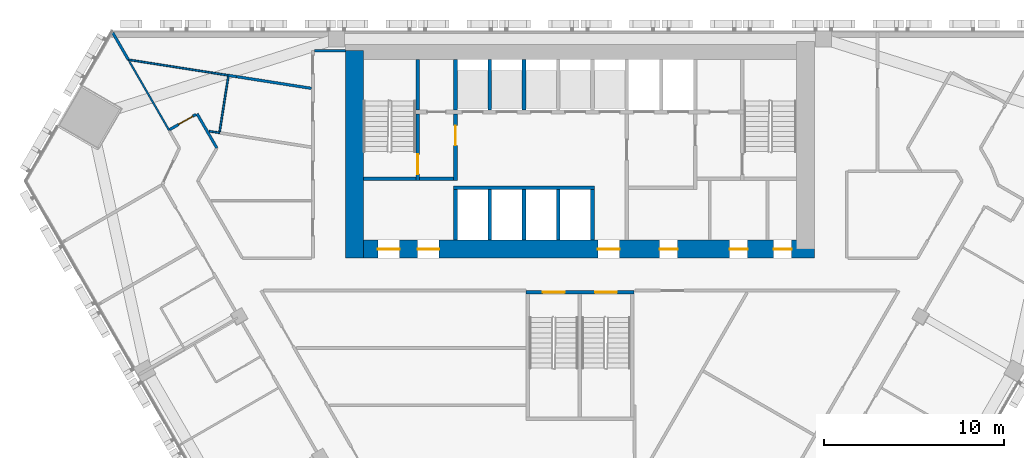
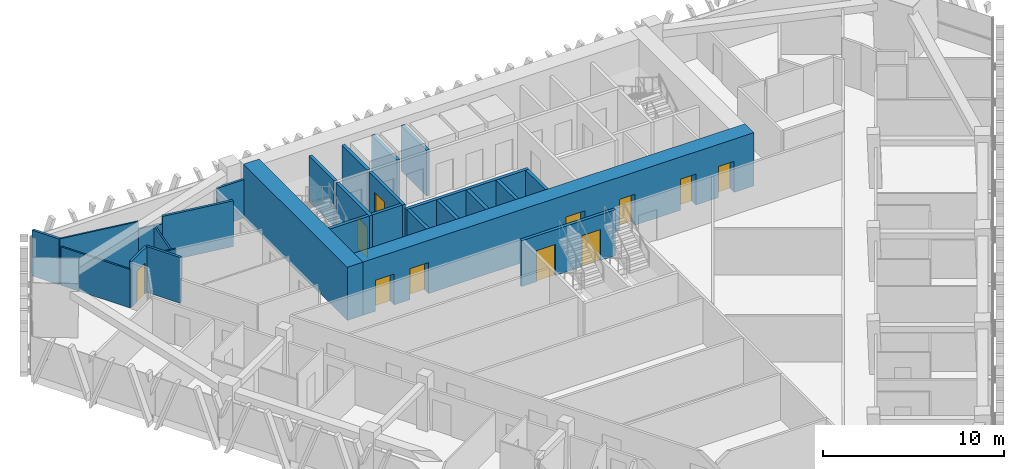
# One storey, part 13 of 18: 28 walls, 11 doors, 11 openings.
"""IFC4 building model written with IfcOpenShell, lengths in metres."""

from ifc_helpers import new_model, si_unit, direction, frame, frame_2d, origin, place, context, subcontext, project, spatial, rectangle, extrude, material, layer, layer_set, type_object, element, fill, save


model = new_model("IFC4")

# Units and contexts
model_context = context("Model", 3, precision=1e-05, world=origin(), true_north=direction((0.0, 1.0)))
body_context = subcontext(model_context, "Body", "Model", "MODEL_VIEW")
ifc_project = project(units=[si_unit("LENGTHUNIT", "METRE"), si_unit("AREAUNIT", "SQUARE_METRE"), si_unit("VOLUMEUNIT", "CUBIC_METRE"), si_unit("PLANEANGLEUNIT", "RADIAN"), si_unit("MASSUNIT", "GRAM", prefix="KILO")], contexts=[model_context])

# Site, building, storey
site_placement = place(None, origin())
site = spatial("IfcSite", under=ifc_project, at=site_placement, CompositionType="ELEMENT")
building_placement = place(site_placement, origin())
building = spatial("IfcBuilding", under=site, at=building_placement, Name="Altiplano Prism Tower", CompositionType="ELEMENT")
storey_placement = place(building_placement, frame((0.0, 0.0, 45.0)))
storey = spatial("IfcBuildingStorey", under=building, at=storey_placement, Name="L10", CompositionType="ELEMENT", Elevation=45.0)

# Wall, openings, doors
ifc_material_1 = material(Name="Concrete C70/85", Category="concrete")
ifc_layer_1 = layer(ifc_material_1, 1.0)
ifc_layer_set_1 = layer_set([ifc_layer_1], Name="Concrete C70/85")
wall_type_1 = type_object("IfcWallType", Name="Core wall 1000", PredefinedType="SHEAR", material=ifc_layer_set_1)
wall_1_placement = place(storey_placement, frame((72.5, 92.89990234375, 0.0), z_axis=(0.0, 0.0, 1.0), x_axis=(1.0, 0.0, 0.0)))
wall_1 = element("IfcWall", 1, at=wall_1_placement, inside=storey, type_object=wall_type_1, Name="Core wall S L10", PredefinedType="SHEAR", context=body_context, shape_type="SweptSolid", body=[
    extrude(rectangle(XDim=25.5, YDim=1.0, at=frame_2d((12.75, 0.0))), origin(), (0.0, 0.0, 1.0), 3.60009765625),
])
opening_1_placement = place(wall_1_placement, frame((1.300048828125, 0.0, 0.0)))
opening_1 = element("IfcOpeningElement", 2, at=opening_1_placement, cuts=wall_1, Name="Opening D2725", PredefinedType="OPENING", context=body_context, shape_type="SweptSolid", body=[
    extrude(rectangle(XDim=1.199951171875, YDim=2.10009765625, at=frame_2d((0.60009765625, 1.050048828125))), frame((0.0, 0.510498046875, 0.0), z_axis=(0.0, -1.0, 0.0), x_axis=(1.0, 0.0, 0.0)), (0.0, 0.0, 1.0), 1.02099609375),
])
opening_2_placement = place(wall_1_placement, frame((3.5, 0.0, 0.0)))
opening_2 = element("IfcOpeningElement", 3, at=opening_2_placement, cuts=wall_1, Name="Opening D2726", PredefinedType="OPENING", context=body_context, shape_type="SweptSolid", body=[
    extrude(rectangle(XDim=1.199951171875, YDim=2.10009765625, at=frame_2d((0.60009765625, 1.050048828125))), frame((0.0, 0.510498046875, 0.0), z_axis=(0.0, -1.0, 0.0), x_axis=(1.0, 0.0, 0.0)), (0.0, 0.0, 1.0), 1.02099609375),
])
opening_3_placement = place(wall_1_placement, frame((13.5, 0.0, 0.0)))
opening_3 = element("IfcOpeningElement", 4, at=opening_3_placement, cuts=wall_1, Name="Opening D2727", PredefinedType="OPENING", context=body_context, shape_type="SweptSolid", body=[
    extrude(rectangle(XDim=1.199951171875, YDim=2.10009765625, at=frame_2d((0.60009765625, 1.050048828125))), frame((0.0, 0.510498046875, 0.0), z_axis=(0.0, -1.0, 0.0), x_axis=(1.0, 0.0, 0.0)), (0.0, 0.0, 1.0), 1.02099609375),
])
opening_4_placement = place(wall_1_placement, frame((16.91259765625, 0.0, 0.0)))
opening_4 = element("IfcOpeningElement", 5, at=opening_4_placement, cuts=wall_1, Name="Opening D2730", PredefinedType="OPENING", context=body_context, shape_type="SweptSolid", body=[
    extrude(rectangle(XDim=1.0, YDim=2.10009765625, at=frame_2d((0.5, 1.050048828125))), frame((0.0, 0.510498046875, 0.0), z_axis=(0.0, -1.0, 0.0), x_axis=(1.0, 0.0, 0.0)), (0.0, 0.0, 1.0), 1.02099609375),
])
opening_5_placement = place(wall_1_placement, frame((20.800048828125, 0.0, 0.0)))
opening_5 = element("IfcOpeningElement", 6, at=opening_5_placement, cuts=wall_1, Name="Opening D2731", PredefinedType="OPENING", context=body_context, shape_type="SweptSolid", body=[
    extrude(rectangle(XDim=1.0, YDim=2.10009765625, at=frame_2d((0.5, 1.050048828125))), frame((0.0, 0.510498046875, 0.0), z_axis=(0.0, -1.0, 0.0), x_axis=(1.0, 0.0, 0.0)), (0.0, 0.0, 1.0), 1.02099609375),
])
opening_6_placement = place(wall_1_placement, frame((23.237548828125, 0.0, 0.0)))
opening_6 = element("IfcOpeningElement", 7, at=opening_6_placement, cuts=wall_1, Name="Opening D2732", PredefinedType="OPENING", context=body_context, shape_type="SweptSolid", body=[
    extrude(rectangle(XDim=1.0, YDim=2.10009765625, at=frame_2d((0.5, 1.050048828125))), frame((0.0, 0.510498046875, 0.0), z_axis=(0.0, -1.0, 0.0), x_axis=(1.0, 0.0, 0.0)), (0.0, 0.0, 1.0), 1.02099609375),
])
ifc_material_2 = material(Name="Fire-rated steel door", Category="steel")
door_type_1 = type_object("IfcDoorType", Name="Core room door 1000 x 2100", OperationType="NOTDEFINED", PredefinedType="NOTDEFINED", material=ifc_material_2)
door_1_placement = place(opening_4_placement, origin())
door_1 = element("IfcDoor", 8, at=door_1_placement, inside=storey, type_object=door_type_1, Name="Core room door D2730", OperationType="SINGLE_SWING_RIGHT", OverallHeight=2.10009765625, OverallWidth=1.0, PredefinedType="NOTDEFINED", context=body_context, shape_type="SweptSolid", body=[
    extrude(rectangle(XDim=1.0, YDim=2.10009765625, at=frame_2d((0.5, 1.050048828125))), frame((0.0, 0.02490234375, 0.0), z_axis=(0.0, -1.0, 0.0), x_axis=(1.0, 0.0, 0.0)), (0.0, 0.0, 1.0), 0.050048828125),
])
fill(opening_4, door_1)
door_2_placement = place(opening_5_placement, origin())
door_2 = element("IfcDoor", 9, at=door_2_placement, inside=storey, type_object=door_type_1, Name="Core room door D2731", OperationType="SINGLE_SWING_LEFT", OverallHeight=2.10009765625, OverallWidth=1.0, PredefinedType="NOTDEFINED", context=body_context, shape_type="SweptSolid", body=[
    extrude(rectangle(XDim=1.0, YDim=2.10009765625, at=frame_2d((0.5, 1.050048828125))), frame((0.0, 0.02490234375, 0.0), z_axis=(0.0, -1.0, 0.0), x_axis=(1.0, 0.0, 0.0)), (0.0, 0.0, 1.0), 0.050048828125),
])
fill(opening_5, door_2)
door_3_placement = place(opening_6_placement, origin())
door_3 = element("IfcDoor", 10, at=door_3_placement, inside=storey, type_object=door_type_1, Name="Core room door D2732", OperationType="SINGLE_SWING_RIGHT", OverallHeight=2.10009765625, OverallWidth=1.0, PredefinedType="NOTDEFINED", context=body_context, shape_type="SweptSolid", body=[
    extrude(rectangle(XDim=1.0, YDim=2.10009765625, at=frame_2d((0.5, 1.050048828125))), frame((0.0, 0.02490234375, 0.0), z_axis=(0.0, -1.0, 0.0), x_axis=(1.0, 0.0, 0.0)), (0.0, 0.0, 1.0), 0.050048828125),
])
fill(opening_6, door_3)
door_type_2 = type_object("IfcDoorType", Name="Lobby fire door 1200 x 2100", OperationType="NOTDEFINED", PredefinedType="NOTDEFINED", material=ifc_material_2)
door_4_placement = place(opening_1_placement, origin())
door_4 = element("IfcDoor", 11, at=door_4_placement, inside=storey, type_object=door_type_2, Name="Lobby fire door D2725", OperationType="SINGLE_SWING_RIGHT", OverallHeight=2.10009765625, OverallWidth=1.199951171875, PredefinedType="NOTDEFINED", context=body_context, shape_type="SweptSolid", body=[
    extrude(rectangle(XDim=1.199951171875, YDim=2.10009765625, at=frame_2d((0.60009765625, 1.050048828125))), frame((0.0, 0.02490234375, 0.0), z_axis=(0.0, -1.0, 0.0), x_axis=(1.0, 0.0, 0.0)), (0.0, 0.0, 1.0), 0.050048828125),
])
fill(opening_1, door_4)
door_5_placement = place(opening_2_placement, origin())
door_5 = element("IfcDoor", 12, at=door_5_placement, inside=storey, type_object=door_type_2, Name="Lobby fire door D2726", OperationType="SINGLE_SWING_LEFT", OverallHeight=2.10009765625, OverallWidth=1.199951171875, PredefinedType="NOTDEFINED", context=body_context, shape_type="SweptSolid", body=[
    extrude(rectangle(XDim=1.199951171875, YDim=2.10009765625, at=frame_2d((0.60009765625, 1.050048828125))), frame((0.0, 0.02490234375, 0.0), z_axis=(0.0, -1.0, 0.0), x_axis=(1.0, 0.0, 0.0)), (0.0, 0.0, 1.0), 0.050048828125),
])
fill(opening_2, door_5)
door_6_placement = place(opening_3_placement, origin())
door_6 = element("IfcDoor", 13, at=door_6_placement, inside=storey, type_object=door_type_2, Name="Lobby fire door D2727", OperationType="SINGLE_SWING_RIGHT", OverallHeight=2.10009765625, OverallWidth=1.199951171875, PredefinedType="NOTDEFINED", context=body_context, shape_type="SweptSolid", body=[
    extrude(rectangle(XDim=1.199951171875, YDim=2.10009765625, at=frame_2d((0.60009765625, 1.050048828125))), frame((0.0, 0.02490234375, 0.0), z_axis=(0.0, -1.0, 0.0), x_axis=(1.0, 0.0, 0.0)), (0.0, 0.0, 1.0), 0.050048828125),
])
fill(opening_3, door_6)

# Walls
wall_2_placement = place(storey_placement, frame((72.5, 103.89990234375, 0.0), z_axis=(0.0, 0.0, 1.0), x_axis=(0.0, -1.0, 0.0)))
element("IfcWall", 14, at=wall_2_placement, inside=storey, type_object=wall_type_1, Name="Core wall W L10", PredefinedType="SHEAR", context=body_context, shape_type="SweptSolid", body=[
    extrude(rectangle(XDim=11.5, YDim=1.0, at=frame_2d((5.75, 0.0))), origin(), (0.0, 0.0, 1.0), 3.60009765625),
])
ifc_material_3 = material(Name="Plasterboard on steel stud", Category="steel")
ifc_layer_2 = layer(ifc_material_3, 0.10009765625)
ifc_layer_set_2 = layer_set([ifc_layer_2], Name="Plasterboard on steel stud")
wall_type_2 = type_object("IfcWallType", Name="Partition 100 wet", PredefinedType="PARTITIONING", material=ifc_layer_set_2)
wall_3_placement = place(storey_placement, frame((65.029541015625, 99.420654296875, 0.0), z_axis=(0.0, 0.0, 1.0), x_axis=(0.154701666179, 0.987961231264, 0.0)))
element("IfcWall", 15, at=wall_3_placement, inside=storey, type_object=wall_type_2, Name="Partition P03 L10 044", PredefinedType="PARTITIONING", context=body_context, shape_type="SweptSolid", body=[
    extrude(rectangle(XDim=3.07275390625, YDim=0.10009765625, at=frame_2d((1.536376953125, 0.0))), origin(), (0.0, 0.0, 1.0), 2.60009765625),
])
wall_4_placement = place(storey_placement, frame((64.45654296875, 99.434326171875, 0.0), z_axis=(0.0, 0.0, 1.0), x_axis=(0.988004117719, -0.154427534366, 0.0)))
element("IfcWall", 16, at=wall_4_placement, inside=storey, type_object=wall_type_2, Name="Partition P03 L10 045", PredefinedType="PARTITIONING", context=body_context, shape_type="SweptSolid", body=[
    extrude(rectangle(XDim=0.588134765625, YDim=0.10009765625, at=frame_2d((0.2939453125, 0.0))), origin(), (0.0, 0.0, 1.0), 3.10009765625),
])
wall_5_placement = place(storey_placement, frame((60.018310546875, 103.30908203125, 0.0), z_axis=(0.0, 0.0, 1.0), x_axis=(0.499966399055, -0.86604480243, 0.0)))
element("IfcWall", 17, at=wall_5_placement, inside=storey, type_object=wall_type_2, Name="Partition P03 L10 046", PredefinedType="PARTITIONING", context=body_context, shape_type="SweptSolid", body=[
    extrude(rectangle(XDim=4.418212890625, YDim=0.10009765625, at=frame_2d((2.208984375, 0.0))), origin(), (0.0, 0.0, 1.0), 2.60009765625),
])
wall_6_placement = place(storey_placement, frame((65.536376953125, 102.52734375, 0.0), z_axis=(0.0, 0.0, 1.0), x_axis=(-0.987969741582, 0.154647307506, 0.0)))
element("IfcWall", 18, at=wall_6_placement, inside=storey, type_object=wall_type_2, Name="Partition P03 L10 047", PredefinedType="PARTITIONING", context=body_context, shape_type="SweptSolid", body=[
    extrude(rectangle(XDim=0.991455078125, YDim=0.10009765625, at=frame_2d((0.49560546875, 0.0))), origin(), (0.0, 0.0, 1.0), 2.60009765625),
])
wall_7_placement = place(storey_placement, frame((64.556884765625, 102.6806640625, 0.0), z_axis=(0.0, 0.0, 1.0), x_axis=(-0.987956876752, 0.154729472561, 0.0)))
element("IfcWall", 19, at=wall_7_placement, inside=storey, type_object=wall_type_2, Name="Partition P03 L10 048", PredefinedType="PARTITIONING", context=body_context, shape_type="SweptSolid", body=[
    extrude(rectangle(XDim=4.646728515625, YDim=0.10009765625, at=frame_2d((2.3232421875, 0.0))), origin(), (0.0, 0.0, 1.0), 3.10009765625),
])

# Wall, opening, door
ifc_layer_3 = layer(ifc_material_3, 0.14990234375)
ifc_layer_set_3 = layer_set([ifc_layer_3], Name="Plasterboard on steel stud")
wall_type_3 = type_object("IfcWallType", Name="Partition 150 corridor", PredefinedType="PARTITIONING", material=ifc_layer_set_3)
wall_8_placement = place(storey_placement, frame((63.711181640625, 100.362548828125, 0.0), z_axis=(0.0, 0.0, 1.0), x_axis=(-0.865964676353, -0.500105168249, 0.0)))
wall_8 = element("IfcWall", 20, at=wall_8_placement, inside=storey, type_object=wall_type_3, Name="Partition P06 L10 001", PredefinedType="PARTITIONING", context=body_context, shape_type="SweptSolid", body=[
    extrude(rectangle(XDim=1.675048828125, YDim=0.14990234375, at=frame_2d((0.83740234375, 0.0))), origin(), (0.0, 0.0, 1.0), 3.10009765625),
])
opening_7_placement = place(wall_8_placement, frame((0.199951171875, 0.0, 0.0)))
opening_7 = element("IfcOpeningElement", 21, at=opening_7_placement, cuts=wall_8, Name="Opening D0372", PredefinedType="OPENING", context=body_context, shape_type="SweptSolid", body=[
    extrude(rectangle(XDim=0.89990234375, YDim=2.10009765625, at=frame_2d((0.449951171875, 1.050048828125))), frame((0.0, 0.08544921875, 0.0), z_axis=(0.0, -1.0, 0.0), x_axis=(1.0, 0.0, 0.0)), (0.0, 0.0, 1.0), 0.1708984375),
])
ifc_material_4 = material(Name="Timber", Category="wood")
door_type_3 = type_object("IfcDoorType", Name="Toilet door 900 x 2100", OperationType="NOTDEFINED", PredefinedType="NOTDEFINED", material=ifc_material_4)
door_7_placement = place(opening_7_placement, origin())
door_7 = element("IfcDoor", 22, at=door_7_placement, inside=storey, type_object=door_type_3, Name="Door D0372", OperationType="SINGLE_SWING_RIGHT", OverallHeight=2.10009765625, OverallWidth=0.89990234375, PredefinedType="NOTDEFINED", context=body_context, shape_type="SweptSolid", body=[
    extrude(rectangle(XDim=0.89990234375, YDim=2.10009765625, at=frame_2d((0.449951171875, 1.050048828125))), frame((0.0, 0.02490234375, 0.0), z_axis=(0.0, -1.0, 0.0), x_axis=(1.0, 0.0, 0.0)), (0.0, 0.0, 1.0), 0.050048828125),
])
fill(opening_7, door_7)

# Walls
wall_9_placement = place(storey_placement, frame((64.873291015625, 98.5, 0.0), z_axis=(0.0, 0.0, 1.0), x_axis=(-0.500005024956, 0.866022502605, 0.0)))
element("IfcWall", 23, at=wall_9_placement, inside=storey, type_object=wall_type_3, Name="Partition P06 L10 006", PredefinedType="PARTITIONING", context=body_context, shape_type="SweptSolid", body=[
    extrude(rectangle(XDim=2.19384765625, YDim=0.14990234375, at=frame_2d((1.096923828125, 0.0))), origin(), (0.0, 0.0, 1.0), 3.10009765625),
])
wall_10_placement = place(storey_placement, frame((72.0, 103.89990234375, 0.0), z_axis=(0.0, 0.0, 1.0), x_axis=(-1.0, 0.0, 0.0)))
element("IfcWall", 24, at=wall_10_placement, inside=storey, type_object=wall_type_3, Name="Partition P06 L10 037", PredefinedType="PARTITIONING", context=body_context, shape_type="SweptSolid", body=[
    extrude(rectangle(XDim=1.72509765625, YDim=0.14990234375, at=frame_2d((0.862548828125, 0.0))), origin(), (0.0, 0.0, 1.0), 2.60009765625),
])
ifc_layer_4 = layer(ifc_material_3, 0.14990234375)
ifc_layer_set_4 = layer_set([ifc_layer_4], Name="Plasterboard on steel stud")
wall_type_4 = type_object("IfcWallType", Name="Partition 150 party", PredefinedType="PARTITIONING", material=ifc_layer_set_4)
wall_11_placement = place(storey_placement, frame((70.11328125, 101.810302734375, 0.0), z_axis=(0.0, 0.0, 1.0), x_axis=(-0.987957270298, 0.154726959721, 0.0)))
element("IfcWall", 25, at=wall_11_placement, inside=storey, type_object=wall_type_4, Name="Partition P01 L10 051", PredefinedType="PARTITIONING", context=body_context, shape_type="SweptSolid", body=[
    extrude(rectangle(XDim=4.19091796875, YDim=0.14990234375, at=frame_2d((2.095458984375, 0.0))), origin(), (0.0, 0.0, 1.0), 3.10009765625),
])
wall_12_placement = place(storey_placement, frame((65.972900390625, 102.458740234375, 0.0), z_axis=(0.0, 0.0, 1.0), x_axis=(-0.9879103998, 0.155025939661, 0.0)))
element("IfcWall", 26, at=wall_12_placement, inside=storey, type_object=wall_type_4, Name="Partition P01 L10 052", PredefinedType="PARTITIONING", context=body_context, shape_type="SweptSolid", body=[
    extrude(rectangle(XDim=0.48193359375, YDim=0.14990234375, at=frame_2d((0.240966796875, 0.0))), origin(), (0.0, 0.0, 1.0), 2.60009765625),
])
wall_13_placement = place(storey_placement, frame((59.966064453125, 103.399658203125, 0.0), z_axis=(0.0, 0.0, 1.0), x_axis=(-0.500124983322, 0.865953232604, 0.0)))
element("IfcWall", 27, at=wall_13_placement, inside=storey, type_object=wall_type_4, Name="Partition P01 L10 054", PredefinedType="PARTITIONING", context=body_context, shape_type="SweptSolid", body=[
    extrude(rectangle(XDim=1.732421875, YDim=0.14990234375, at=frame_2d((0.8662109375, 0.0))), origin(), (0.0, 0.0, 1.0), 3.10009765625),
])
ifc_material_5 = material(Name="Concrete C60/75", Category="concrete")
ifc_layer_5 = layer(ifc_material_5, 0.199951171875)
ifc_layer_set_5 = layer_set([ifc_layer_5], Name="Concrete C60/75")
wall_type_5 = type_object("IfcWallType", Name="Shaft wall 200", PredefinedType="SOLIDWALL", material=ifc_layer_set_5)
for number, where, z_axis, x_axis, name in (
    (28, (78.10009765625, 93.39990234375, 0.0), (0.0, 0.0, 1.0), (0.0, 1.0, 0.0), "Shaft wall L10"),
    (29, (80.0, 93.39990234375, 0.0), (0.0, 0.0, 1.0), (0.0, 1.0, 0.0), "Shaft wall L10"),
    (30, (81.89990234375, 93.39990234375, 0.0), (0.0, 0.0, 1.0), (0.0, 1.0, 0.0), "Shaft wall L10"),
    (31, (83.800048828125, 93.39990234375, 0.0), (0.0, 0.0, 1.0), (0.0, 1.0, 0.0), "Shaft wall L10"),
    (32, (85.699951171875, 93.39990234375, 0.0), (0.0, 0.0, 1.0), (0.0, 1.0, 0.0), "Shaft wall L10"),
):
    element("IfcWall", number, at=place(storey_placement, frame(where, z_axis=z_axis, x_axis=x_axis)), inside=storey, type_object=wall_type_5, Name=name, PredefinedType="SOLIDWALL", context=body_context, shape_type="SweptSolid", body=[
        extrude(rectangle(XDim=2.800048828125, YDim=0.199951171875, at=frame_2d((1.39990234375, 0.0))), origin(), (0.0, 0.0, 1.0), 3.10009765625),
    ])
wall_14_placement = place(storey_placement, frame((78.0, 96.300048828125, 0.0), z_axis=(0.0, 0.0, 1.0), x_axis=(1.0, 0.0, 0.0)))
element("IfcWall", 33, at=wall_14_placement, inside=storey, type_object=wall_type_5, Name="Shaft wall L10", PredefinedType="SOLIDWALL", context=body_context, shape_type="SweptSolid", body=[
    extrude(rectangle(XDim=7.800048828125, YDim=0.199951171875, at=frame_2d((3.89990234375, 0.0))), origin(), (0.0, 0.0, 1.0), 3.10009765625),
])
for number, where, z_axis, x_axis, name in (
    (34, (78.10009765625, 100.60009765625, 0.0), (0.0, 0.0, 1.0), (0.0, 1.0, 0.0), "Shaft wall L10"),
    (35, (80.0, 100.60009765625, 0.0), (0.0, 0.0, 1.0), (0.0, 1.0, 0.0), "Shaft wall L10"),
    (36, (81.89990234375, 100.60009765625, 0.0), (0.0, 0.0, 1.0), (0.0, 1.0, 0.0), "Shaft wall L10"),
):
    element("IfcWall", number, at=place(storey_placement, frame(where, z_axis=z_axis, x_axis=x_axis)), inside=storey, type_object=wall_type_5, Name=name, PredefinedType="SOLIDWALL", context=body_context, shape_type="SweptSolid", body=[
        extrude(rectangle(XDim=2.7998046875, YDim=0.199951171875, at=frame_2d((1.39990234375, 0.0))), origin(), (0.0, 0.0, 1.0), 3.10009765625),
    ])
ifc_layer_6 = layer(ifc_material_5, 0.199951171875)
ifc_layer_set_6 = layer_set([ifc_layer_6], Name="Concrete C60/75")
wall_type_6 = type_object("IfcWallType", Name="Stair wall 200", PredefinedType="SOLIDWALL", material=ifc_layer_set_6)
wall_15_placement = place(storey_placement, frame((73.0, 96.800048828125, 0.0), z_axis=(0.0, 0.0, 1.0), x_axis=(1.0, 0.0, 0.0)))
element("IfcWall", 37, at=wall_15_placement, inside=storey, type_object=wall_type_6, Name="Stair wall L10", PredefinedType="SOLIDWALL", context=body_context, shape_type="SweptSolid", body=[
    extrude(rectangle(XDim=2.89990234375, YDim=0.199951171875, at=frame_2d((1.449951171875, 0.0))), origin(), (0.0, 0.0, 1.0), 3.10009765625),
])

# Wall, opening, door
wall_16_placement = place(storey_placement, frame((76.0, 96.699951171875, 0.0), z_axis=(0.0, 0.0, 1.0), x_axis=(0.0, 1.0, 0.0)))
wall_16 = element("IfcWall", 38, at=wall_16_placement, inside=storey, type_object=wall_type_6, Name="Stair wall L10", PredefinedType="SOLIDWALL", context=body_context, shape_type="SweptSolid", body=[
    extrude(rectangle(XDim=3.699951171875, YDim=0.199951171875, at=frame_2d((1.85009765625, 0.0))), origin(), (0.0, 0.0, 1.0), 3.10009765625),
])
opening_8_placement = place(wall_16_placement, frame((0.35009765625, 0.0, 0.0)))
opening_8 = element("IfcOpeningElement", 39, at=opening_8_placement, cuts=wall_16, Name="Opening D2720", PredefinedType="OPENING", context=body_context, shape_type="SweptSolid", body=[
    extrude(rectangle(XDim=1.10009765625, YDim=2.10009765625, at=frame_2d((0.550048828125, 1.050048828125))), frame((0.0, 0.1103515625, 0.0), z_axis=(0.0, -1.0, 0.0), x_axis=(1.0, 0.0, 0.0)), (0.0, 0.0, 1.0), 0.220947265625),
])
door_type_4 = type_object("IfcDoorType", Name="Stair fire door 1100 x 2100", OperationType="NOTDEFINED", PredefinedType="NOTDEFINED", material=ifc_material_2)
door_8_placement = place(opening_8_placement, origin())
door_8 = element("IfcDoor", 40, at=door_8_placement, inside=storey, type_object=door_type_4, Name="Stair fire door D2720", OperationType="SINGLE_SWING_RIGHT", OverallHeight=2.10009765625, OverallWidth=1.10009765625, PredefinedType="NOTDEFINED", context=body_context, shape_type="SweptSolid", body=[
    extrude(rectangle(XDim=1.10009765625, YDim=2.10009765625, at=frame_2d((0.550048828125, 1.050048828125))), frame((0.0, 0.02490234375, 0.0), z_axis=(0.0, -1.0, 0.0), x_axis=(1.0, 0.0, 0.0)), (0.0, 0.0, 1.0), 0.050048828125),
])
fill(opening_8, door_8)

# Wall
wall_17_placement = place(storey_placement, frame((76.0, 100.60009765625, 0.0), z_axis=(0.0, 0.0, 1.0), x_axis=(0.0, 1.0, 0.0)))
element("IfcWall", 41, at=wall_17_placement, inside=storey, type_object=wall_type_6, Name="Stair wall L10", PredefinedType="SOLIDWALL", context=body_context, shape_type="SweptSolid", body=[
    extrude(rectangle(XDim=2.7998046875, YDim=0.199951171875, at=frame_2d((1.39990234375, 0.0))), origin(), (0.0, 0.0, 1.0), 3.10009765625),
])

# Wall, openings, doors
wall_18_placement = place(storey_placement, frame((82.0, 90.5, 0.0), z_axis=(0.0, 0.0, 1.0), x_axis=(1.0, 0.0, 0.0)))
wall_18 = element("IfcWall", 42, at=wall_18_placement, inside=storey, type_object=wall_type_6, Name="Stair 3 wall north L10", PredefinedType="SOLIDWALL", context=body_context, shape_type="SweptSolid", body=[
    extrude(rectangle(XDim=6.0, YDim=0.199951171875, at=frame_2d((3.0, 0.0))), origin(), (0.0, 0.0, 1.0), 3.10009765625),
])
opening_9_placement = place(wall_18_placement, frame((0.949951171875, 0.0, 0.0)))
opening_9 = element("IfcOpeningElement", 43, at=opening_9_placement, cuts=wall_18, Name="Opening D3942", PredefinedType="OPENING", context=body_context, shape_type="SweptSolid", body=[
    extrude(rectangle(XDim=1.199951171875, YDim=2.10009765625, at=frame_2d((0.60009765625, 1.050048828125))), frame((0.0, 0.1103515625, 0.0), z_axis=(0.0, -1.0, 0.0), x_axis=(1.0, 0.0, 0.0)), (0.0, 0.0, 1.0), 0.220947265625),
])
opening_10_placement = place(wall_18_placement, frame((3.85009765625, 0.0, 0.0)))
opening_10 = element("IfcOpeningElement", 44, at=opening_10_placement, cuts=wall_18, Name="Opening D3943", PredefinedType="OPENING", context=body_context, shape_type="SweptSolid", body=[
    extrude(rectangle(XDim=1.199951171875, YDim=2.10009765625, at=frame_2d((0.60009765625, 1.050048828125))), frame((0.0, 0.1103515625, 0.0), z_axis=(0.0, -1.0, 0.0), x_axis=(1.0, 0.0, 0.0)), (0.0, 0.0, 1.0), 0.220947265625),
])
door_type_5 = type_object("IfcDoorType", Name="Stair fire door 1200 x 2100", OperationType="NOTDEFINED", PredefinedType="NOTDEFINED", material=ifc_material_2)
door_9_placement = place(opening_9_placement, origin())
door_9 = element("IfcDoor", 45, at=door_9_placement, inside=storey, type_object=door_type_5, Name="Stair fire door D3942", OperationType="SINGLE_SWING_LEFT", OverallHeight=2.10009765625, OverallWidth=1.199951171875, PredefinedType="NOTDEFINED", context=body_context, shape_type="SweptSolid", body=[
    extrude(rectangle(XDim=1.199951171875, YDim=2.10009765625, at=frame_2d((0.60009765625, 1.050048828125))), frame((0.0, 0.02490234375, 0.0), z_axis=(0.0, -1.0, 0.0), x_axis=(1.0, 0.0, 0.0)), (0.0, 0.0, 1.0), 0.050048828125),
])
fill(opening_9, door_9)
door_10_placement = place(opening_10_placement, origin())
door_10 = element("IfcDoor", 46, at=door_10_placement, inside=storey, type_object=door_type_5, Name="Stair fire door D3943", OperationType="SINGLE_SWING_LEFT", OverallHeight=2.10009765625, OverallWidth=1.199951171875, PredefinedType="NOTDEFINED", context=body_context, shape_type="SweptSolid", body=[
    extrude(rectangle(XDim=1.199951171875, YDim=2.10009765625, at=frame_2d((0.60009765625, 1.050048828125))), frame((0.0, 0.02490234375, 0.0), z_axis=(0.0, -1.0, 0.0), x_axis=(1.0, 0.0, 0.0)), (0.0, 0.0, 1.0), 0.050048828125),
])
fill(opening_10, door_10)

# Wall
ifc_layer_7 = layer(ifc_material_5, 0.199951171875)
ifc_layer_set_7 = layer_set([ifc_layer_7], Name="Concrete C60/75")
wall_type_7 = type_object("IfcWallType", Name="Vestibule wall 200", PredefinedType="PARTITIONING", material=ifc_layer_set_7)
wall_19_placement = place(storey_placement, frame((76.10009765625, 96.800048828125, 0.0), z_axis=(0.0, 0.0, 1.0), x_axis=(1.0, 0.0, 0.0)))
element("IfcWall", 47, at=wall_19_placement, inside=storey, type_object=wall_type_7, Name="Vestibule wall L10", PredefinedType="PARTITIONING", context=body_context, shape_type="SweptSolid", body=[
    extrude(rectangle(XDim=1.89990234375, YDim=0.199951171875, at=frame_2d((0.949951171875, 0.0))), origin(), (0.0, 0.0, 1.0), 3.10009765625),
])

# Wall, opening, door
wall_20_placement = place(storey_placement, frame((78.10009765625, 96.699951171875, 0.0), z_axis=(0.0, 0.0, 1.0), x_axis=(0.0, 1.0, 0.0)))
wall_20 = element("IfcWall", 48, at=wall_20_placement, inside=storey, type_object=wall_type_7, Name="Vestibule wall L10", PredefinedType="PARTITIONING", context=body_context, shape_type="SweptSolid", body=[
    extrude(rectangle(XDim=3.699951171875, YDim=0.199951171875, at=frame_2d((1.85009765625, 0.0))), origin(), (0.0, 0.0, 1.0), 3.10009765625),
])
opening_11_placement = place(wall_20_placement, frame((1.949951171875, 0.0, 0.0)))
opening_11 = element("IfcOpeningElement", 49, at=opening_11_placement, cuts=wall_20, Name="Opening D2722", PredefinedType="OPENING", context=body_context, shape_type="SweptSolid", body=[
    extrude(rectangle(XDim=1.10009765625, YDim=2.10009765625, at=frame_2d((0.550048828125, 1.050048828125))), frame((0.0, 0.1103515625, 0.0), z_axis=(0.0, -1.0, 0.0), x_axis=(1.0, 0.0, 0.0)), (0.0, 0.0, 1.0), 0.220947265625),
])
door_type_6 = type_object("IfcDoorType", Name="Vestibule fire door 1100 x 2100", OperationType="NOTDEFINED", PredefinedType="NOTDEFINED", material=ifc_material_2)
door_11_placement = place(opening_11_placement, origin())
door_11 = element("IfcDoor", 50, at=door_11_placement, inside=storey, type_object=door_type_6, Name="Vestibule fire door D2722", OperationType="SINGLE_SWING_LEFT", OverallHeight=2.10009765625, OverallWidth=1.10009765625, PredefinedType="NOTDEFINED", context=body_context, shape_type="SweptSolid", body=[
    extrude(rectangle(XDim=1.10009765625, YDim=2.10009765625, at=frame_2d((0.550048828125, 1.050048828125))), frame((0.0, 0.02490234375, 0.0), z_axis=(0.0, -1.0, 0.0), x_axis=(1.0, 0.0, 0.0)), (0.0, 0.0, 1.0), 0.050048828125),
])
fill(opening_11, door_11)

save(model, "model.ifc")
